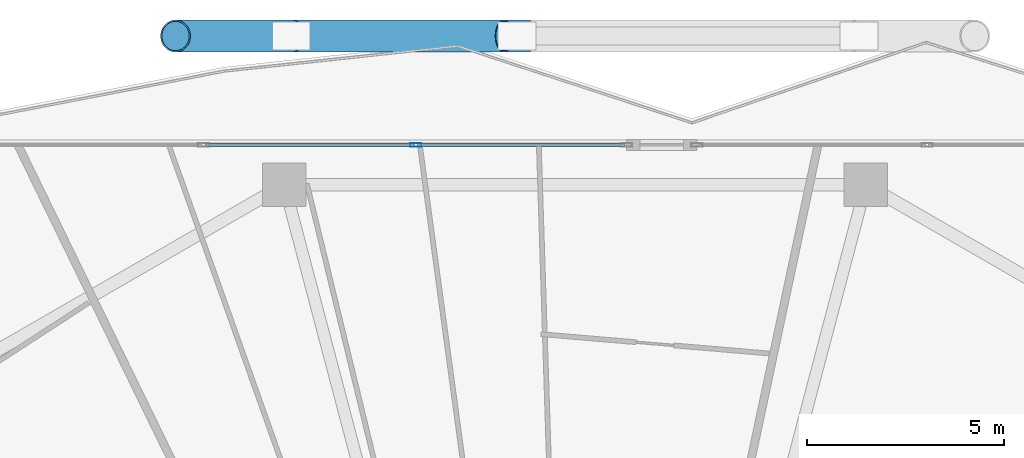
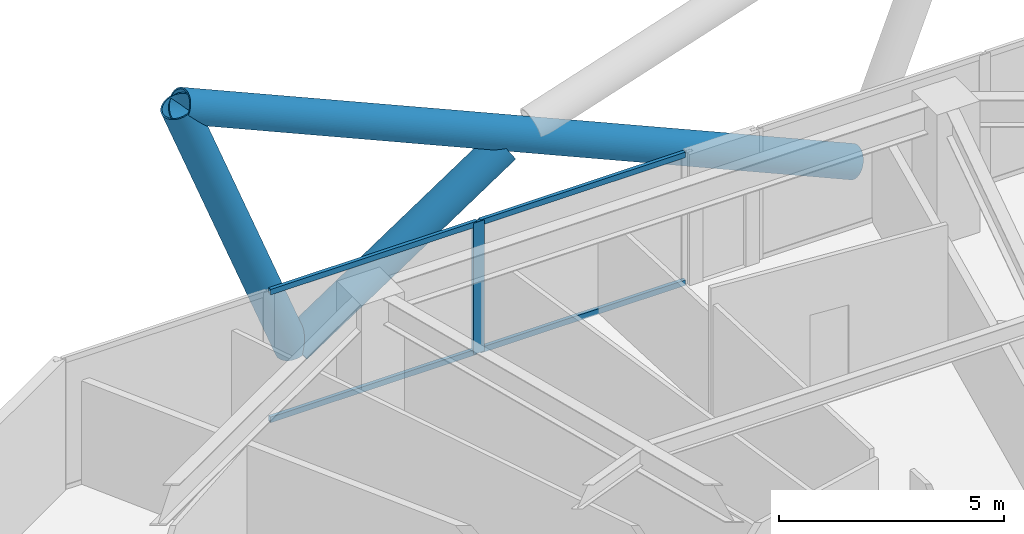
# One storey, part 18 of 35: 8 members, 1 element without a shape of its own.
"""IFC4 building model written with IfcOpenShell, lengths in metres."""

from ifc_helpers import new_model, si_unit, direction, frame, origin, origin_2d, place, context, subcontext, project, spatial, hollow_rectangle, hollow_circle, extrude, material, material_profile, profile_set, type_object, element, aggregate, save


model = new_model("IFC4")

# Units and contexts
model_context = context("Model", 3, precision=1e-05, world=origin(), true_north=direction((0.0, 1.0)))
body_context = subcontext(model_context, "Body", "Model", "MODEL_VIEW")
ifc_project = project(units=[si_unit("LENGTHUNIT", "METRE"), si_unit("AREAUNIT", "SQUARE_METRE"), si_unit("VOLUMEUNIT", "CUBIC_METRE"), si_unit("PLANEANGLEUNIT", "RADIAN"), si_unit("MASSUNIT", "GRAM", prefix="KILO")], contexts=[model_context])

# Site, building, storey
site_placement = place(None, origin())
site = spatial("IfcSite", under=ifc_project, at=site_placement, CompositionType="ELEMENT")
building_placement = place(site_placement, origin())
building = spatial("IfcBuilding", under=site, at=building_placement, Name="Zuhravey Tower", CompositionType="ELEMENT")
storey_placement = place(building_placement, frame((0.0, 0.0, 115.199951171875)))
storey = spatial("IfcBuildingStorey", under=building, at=storey_placement, Name="L28", CompositionType="ELEMENT", Elevation=115.199951171875)

# Curtain wall, members
ifc_material_1 = material(Name="Thermally broken anodised aluminium", Category="aluminium")
curtain_wall_type = type_object("IfcCurtainWallType", Name="Zone 1-2 Residential Curtain Wall CW3", PredefinedType="NOTDEFINED", material=ifc_material_1)
curtain_wall_placement = place(storey_placement, origin())
curtain_wall = element("IfcCurtainWall", 1, at=curtain_wall_placement, inside=storey, type_object=curtain_wall_type, Name="L28 CW3 CW-L28-F2-1", PredefinedType="NOTDEFINED")
ifc_material_2 = material(Name="Anodised aluminium", Category="aluminium")
ifc_material_profile_1 = material_profile(ifc_material_2, hollow_rectangle(XDim=0.090087890625, YDim=0.284912109375, WallThickness=0.0048828125, at=origin_2d()), Name="ALU-RHS-90x285x5")
ifc_profile_set_1 = profile_set([ifc_material_profile_1], Name="Anodised aluminium")
member_type_1 = type_object("IfcMemberType", Name="Curtain-Wall Mullion 90x180", PredefinedType="MULLION", material=ifc_profile_set_1)
member_1_placement = place(storey_placement, frame((31.962890625, 60.95849609375, 0.0), z_axis=(0.0, 0.0, 1.0), x_axis=(0.0, 1.0, 0.0)))
member_1 = element("IfcMember", 2, at=member_1_placement, type_object=member_type_1, Name="CW3 mullion 3", PredefinedType="MULLION", context=body_context, shape_type="SweptSolid", body=[
    extrude(hollow_rectangle(XDim=0.090087890625, YDim=0.284912109375, WallThickness=0.0048828125, at=origin_2d()), origin(), (0.0, 0.0, 1.0), 3.550048828125),
])
ifc_material_profile_2 = material_profile(ifc_material_2, hollow_rectangle(XDim=0.090087890625, YDim=0.14990234375, WallThickness=0.0048828125, at=origin_2d()), Name="ALU-RHS-90x150x5")
ifc_profile_set_2 = profile_set([ifc_material_profile_2], Name="Anodised aluminium")
member_type_2 = type_object("IfcMemberType", Name="Curtain-Wall Transom 90x150", PredefinedType="USERDEFINED", material=ifc_profile_set_2)
member_2_placement = place(storey_placement, frame((26.626708984375, 60.95849609375, 0.045166015625), z_axis=(1.0, 0.0, 0.0), x_axis=(0.0, 1.0, 0.0)))
member_2 = element("IfcMember", 3, at=member_2_placement, type_object=member_type_2, Name="CW3 transom 2.1", ObjectType="TRANSOM", PredefinedType="USERDEFINED", context=body_context, shape_type="SweptSolid", body=[
    extrude(hollow_rectangle(XDim=0.090087890625, YDim=0.14990234375, WallThickness=0.0048828125, at=origin_2d()), origin(), (0.0, 0.0, 1.0), 5.291015625),
])
member_3_placement = place(storey_placement, frame((26.626708984375, 60.95849609375, 3.505126953125), z_axis=(1.0, 0.0, 0.0), x_axis=(0.0, 1.0, 0.0)))
member_3 = element("IfcMember", 4, at=member_3_placement, type_object=member_type_2, Name="CW3 transom 2.2", ObjectType="TRANSOM", PredefinedType="USERDEFINED", context=body_context, shape_type="SweptSolid", body=[
    extrude(hollow_rectangle(XDim=0.090087890625, YDim=0.14990234375, WallThickness=0.0048828125, at=origin_2d()), origin(), (0.0, 0.0, 1.0), 5.291015625),
])
member_4_placement = place(storey_placement, frame((32.0078125, 60.95849609375, 0.045166015625), z_axis=(1.0, 0.0, 0.0), x_axis=(0.0, 1.0, 0.0)))
member_4 = element("IfcMember", 5, at=member_4_placement, type_object=member_type_2, Name="CW3 transom 3.1", ObjectType="TRANSOM", PredefinedType="USERDEFINED", context=body_context, shape_type="SweptSolid", body=[
    extrude(hollow_rectangle(XDim=0.090087890625, YDim=0.14990234375, WallThickness=0.0048828125, at=origin_2d()), origin(), (0.0, 0.0, 1.0), 5.24609375),
])
member_5_placement = place(storey_placement, frame((32.0078125, 60.95849609375, 3.505126953125), z_axis=(1.0, 0.0, 0.0), x_axis=(0.0, 1.0, 0.0)))
member_5 = element("IfcMember", 6, at=member_5_placement, type_object=member_type_2, Name="CW3 transom 3.2", ObjectType="TRANSOM", PredefinedType="USERDEFINED", context=body_context, shape_type="SweptSolid", body=[
    extrude(hollow_rectangle(XDim=0.090087890625, YDim=0.14990234375, WallThickness=0.0048828125, at=origin_2d()), origin(), (0.0, 0.0, 1.0), 5.24609375),
])
aggregate(curtain_wall, [member_1, member_2, member_3, member_4, member_5])

# Members
ifc_material_3 = material(Name="Steel SM460", Category="steel")
ifc_material_profile_3 = material_profile(ifc_material_3, hollow_circle(Radius=0.406494140625, WallThickness=0.035888671875, at=origin_2d()), Name="CHS-812.8x36")
ifc_profile_set_3 = profile_set([ifc_material_profile_3], Name="Steel SM460")
member_type_3 = type_object("IfcMemberType", Name="Exoskeleton Zone 1 Diagrid CHS813x36", PredefinedType="BRACE", material=ifc_profile_set_3)
member_6_placement = place(storey_placement, frame((43.143798828125, 63.718505859375, -0.44189453125), z_axis=(-0.915813914958, 0.0, 0.401602879931), x_axis=(0.0, -1.0, 0.0)))
element("IfcMember", 7, at=member_6_placement, inside=storey, type_object=member_type_3, Name="L28 Face 2 Diagrid Brace 2", PredefinedType="BRACE", context=body_context, shape_type="SweptSolid", body=[
    extrude(hollow_circle(Radius=0.406494140625, WallThickness=0.035888671875, at=origin_2d()), origin(), (0.0, 0.0, 1.0), 18.814453125),
])
member_7_placement = place(storey_placement, frame((28.797607421875, 63.718505859375, -0.44189453125), z_axis=(-0.361092156446, 0.0, 0.932530136003), x_axis=(0.0, -1.0, 0.0)))
element("IfcMember", 8, at=member_7_placement, inside=storey, type_object=member_type_3, Name="L28 Face 2 Diagrid Brace 4", PredefinedType="BRACE", context=body_context, shape_type="SweptSolid", body=[
    extrude(hollow_circle(Radius=0.406494140625, WallThickness=0.035888671875, at=origin_2d()), origin(), (0.0, 0.0, 1.0), 8.1025390625),
])
member_8_placement = place(storey_placement, frame((28.851806640625, 63.718505859375, -0.43359375), z_axis=(0.833055542468, 0.0, 0.553189355613), x_axis=(0.0, 1.0, 0.0)))
element("IfcMember", 9, at=member_8_placement, inside=storey, type_object=member_type_3, Name="L28 Face 2 Split Diagrid Brace 3A", PredefinedType="BRACE", context=body_context, shape_type="SweptSolid", body=[
    extrude(hollow_circle(Radius=0.406494140625, WallThickness=0.035888671875, at=origin_2d()), origin(), (0.0, 0.0, 1.0), 6.41796875),
])

save(model, "model.ifc")
